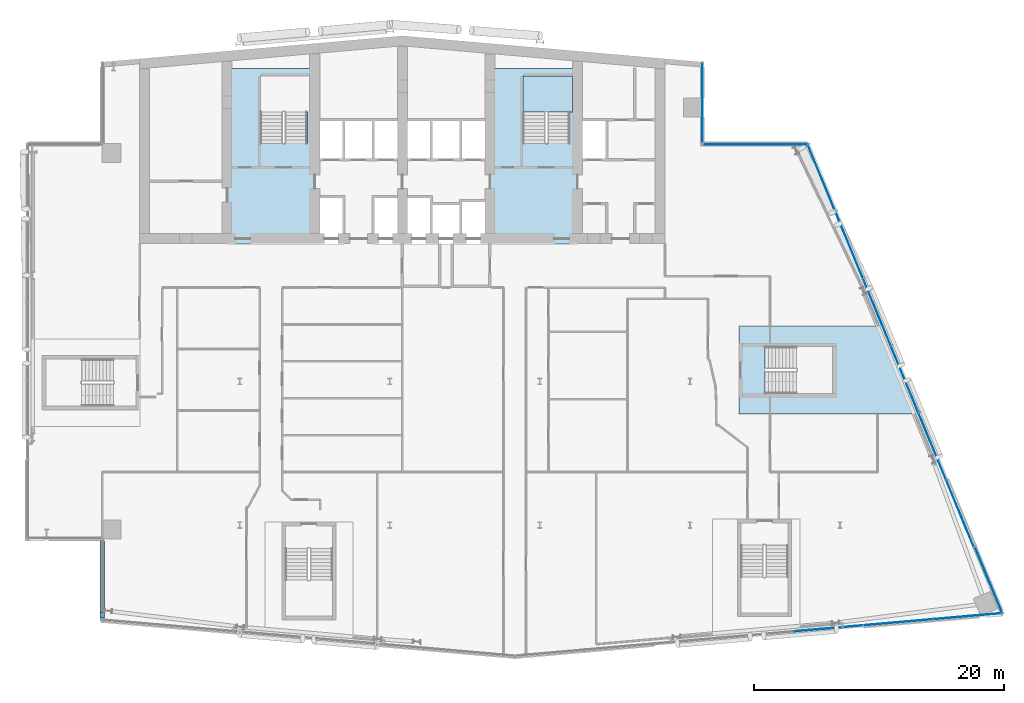
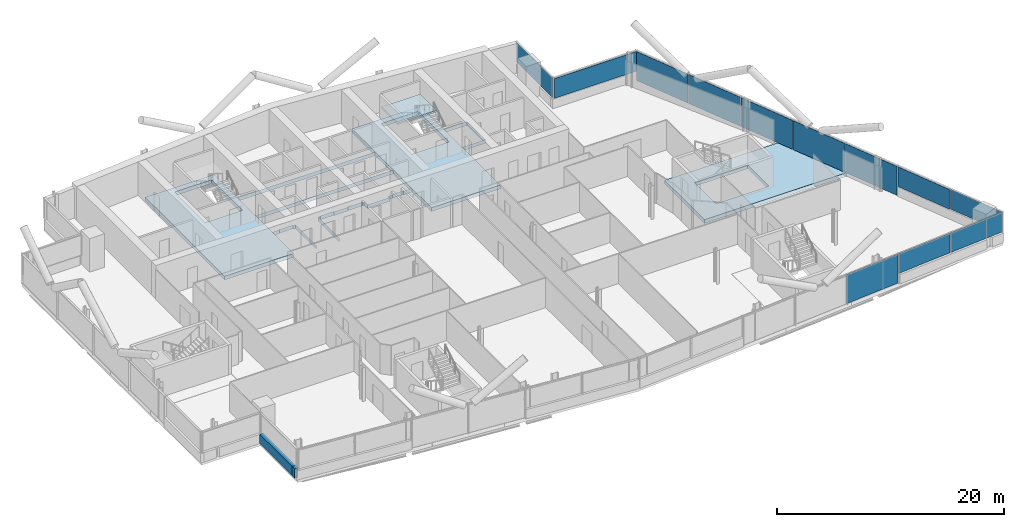
# One storey, part 13 of 26: 12 plates, 3 slabs, 2 walls, 5 elements without a shape of their own.
"""IFC4 building model written with IfcOpenShell, lengths in metres."""

from ifc_helpers import new_model, si_unit, direction, frame, frame_2d, origin, origin_2d, place, context, subcontext, project, spatial, polyline, rectangle, outline, extrude, material, layer, layer_set, type_object, element, aggregate, save


model = new_model("IFC4")

# Units and contexts
model_context = context("Model", 3, precision=1e-05, world=origin(), true_north=direction((0.0, 1.0)))
body_context = subcontext(model_context, "Body", "Model", "MODEL_VIEW")
ifc_project = project(units=[si_unit("LENGTHUNIT", "METRE"), si_unit("AREAUNIT", "SQUARE_METRE"), si_unit("VOLUMEUNIT", "CUBIC_METRE"), si_unit("PLANEANGLEUNIT", "RADIAN"), si_unit("MASSUNIT", "GRAM", prefix="KILO")], contexts=[model_context])

# Site, building, storey
site_placement = place(None, origin())
site = spatial("IfcSite", under=ifc_project, at=site_placement, CompositionType="ELEMENT")
building_placement = place(site_placement, origin())
building = spatial("IfcBuilding", under=site, at=building_placement, Name="Wharfspan Tower", CompositionType="ELEMENT")
storey_placement = place(building_placement, frame((0.0, 0.0, 173.5)))
storey = spatial("IfcBuildingStorey", under=building, at=storey_placement, Name="L42", CompositionType="ELEMENT", Elevation=173.5)

# Curtain wall, plates
ifc_material_1 = material(Name="Aluminium 6063-T6", Category="aluminium")
curtain_wall_type_1 = type_object("IfcCurtainWallType", Name="CURTAIN WALL FACETED FRONT", PredefinedType="NOTDEFINED", material=ifc_material_1)
curtain_wall_1_placement = place(storey_placement, origin())
curtain_wall_1 = element("IfcCurtainWall", 1, at=curtain_wall_1_placement, inside=storey, type_object=curtain_wall_type_1, Name="Curtain wall S2", PredefinedType="NOTDEFINED")
ifc_material_2 = material(Name="Glass clear low-iron double glazing", Category="glass")
ifc_layer_1 = layer(ifc_material_2, 0.040039)
ifc_layer_set_1 = layer_set([ifc_layer_1], Name="Glass clear low-iron double glazing")
plate_type_1 = type_object("IfcPlateType", Name="GLASS PANEL FACETED FRONT 40", PredefinedType="CURTAIN_PANEL", material=ifc_layer_set_1)
plate_1_placement = place(storey_placement, frame((76.637695, 3.728516, 1.0), z_axis=(0.0, 0.0, 1.0), x_axis=(0.996198, 0.087156, 0.0)))
plate_1 = element("IfcPlate", 2, at=plate_1_placement, type_object=plate_type_1, Name="Curtain wall S2 panel 6", PredefinedType="CURTAIN_PANEL", context=body_context, shape_type="SweptSolid", body=[
    extrude(rectangle(XDim=5.532715, YDim=0.040039, at=origin_2d()), origin(), (0.0, 0.0, 1.0), 2.120117),
])
plate_2_placement = place(storey_placement, frame((82.194092, 4.214844, 1.0), z_axis=(0.0, 0.0, 1.0), x_axis=(0.996198, 0.087156, 0.0)))
plate_2 = element("IfcPlate", 3, at=plate_2_placement, type_object=plate_type_1, Name="Curtain wall S2 panel 7", PredefinedType="CURTAIN_PANEL", context=body_context, shape_type="SweptSolid", body=[
    extrude(rectangle(XDim=5.502686, YDim=0.040039, at=origin_2d()), origin(), (0.0, 0.0, 1.0), 2.120117),
])

curtain_wall_type_2 = type_object("IfcCurtainWallType", Name="CURTAIN WALL PROW AND END", PredefinedType="NOTDEFINED", material=ifc_material_1)
curtain_wall_2_placement = place(storey_placement, origin())
curtain_wall_2 = element("IfcCurtainWall", 4, at=curtain_wall_2_placement, inside=storey, type_object=curtain_wall_type_2, Name="Curtain wall E", PredefinedType="NOTDEFINED")
ifc_layer_2 = layer(ifc_material_2, 0.040039)
ifc_layer_set_2 = layer_set([ifc_layer_2], Name="Glass clear low-iron double glazing")
plate_type_2 = type_object("IfcPlateType", Name="GLASS PANEL PROW AND END 40", PredefinedType="CURTAIN_PANEL", material=ifc_layer_set_2)
plate_3_placement = place(storey_placement, frame((83.885498, 7.099609, 1.0), z_axis=(0.0, 0.0, 1.0), x_axis=(-0.381602, 0.924325, 0.0)))
plate_3 = element("IfcPlate", 5, at=plate_3_placement, type_object=plate_type_2, Name="Curtain wall E panel 1", PredefinedType="CURTAIN_PANEL", context=body_context, shape_type="SweptSolid", body=[
    extrude(rectangle(XDim=5.721191, YDim=0.040039, at=origin_2d()), origin(), (0.0, 0.0, 1.0), 2.120117),
])
plate_4_placement = place(storey_placement, frame((81.599609, 12.426514, 1.0), z_axis=(0.0, 0.0, 1.0), x_axis=(-0.381602, 0.924325, 0.0)))
plate_4 = element("IfcPlate", 6, at=plate_4_placement, type_object=plate_type_2, Name="Curtain wall E panel 2", PredefinedType="CURTAIN_PANEL", context=body_context, shape_type="SweptSolid", body=[
    extrude(rectangle(XDim=5.751221, YDim=0.040039, at=origin_2d()), origin(), (0.0, 0.0, 1.0), 2.120117),
])

# Curtain wall, plate
curtain_wall_3_placement = place(storey_placement, origin())
curtain_wall_3 = element("IfcCurtainWall", 7, at=curtain_wall_3_placement, inside=storey, type_object=curtain_wall_type_2, Name="Curtain wall NRE-H", PredefinedType="NOTDEFINED")
plate_5_placement = place(storey_placement, frame((65.238525, 41.919922, 1.0), z_axis=(0.0, 0.0, 1.0), x_axis=(-1.0, 0.0, 0.0)))
plate_5 = element("IfcPlate", 8, at=plate_5_placement, type_object=plate_type_2, Name="Curtain wall NRE-H panel 1", PredefinedType="CURTAIN_PANEL", context=body_context, shape_type="SweptSolid", body=[
    extrude(rectangle(XDim=8.357178, YDim=0.040039, at=origin_2d()), origin(), (0.0, 0.0, 1.0), 2.120117),
])
aggregate(curtain_wall_3, [plate_5])

curtain_wall_4_placement = place(storey_placement, origin())
curtain_wall_4 = element("IfcCurtainWall", 9, at=curtain_wall_4_placement, inside=storey, type_object=curtain_wall_type_2, Name="Curtain wall NRE-V", PredefinedType="NOTDEFINED")
plate_6_placement = place(storey_placement, frame((61.0, 45.262451, 1.0), z_axis=(0.0, 0.0, 1.0), x_axis=(0.0, 1.0, 0.0)))
plate_6 = element("IfcPlate", 10, at=plate_6_placement, type_object=plate_type_2, Name="Curtain wall NRE-V panel 1", PredefinedType="CURTAIN_PANEL", context=body_context, shape_type="SweptSolid", body=[
    extrude(rectangle(XDim=6.405029, YDim=0.040039, at=origin_2d()), origin(), (0.0, 0.0, 1.0), 2.120117),
])
aggregate(curtain_wall_4, [plate_6])

# Plate
ifc_material_3 = material(Name="Aluminium composite opaque insulated panel", Category="aluminium")
ifc_layer_3 = layer(ifc_material_3, 0.040039)
ifc_layer_set_3 = layer_set([ifc_layer_3], Name="Aluminium composite opaque insulated panel")
plate_type_3 = type_object("IfcPlateType", Name="INFILL PANEL FACETED FRONT OPAQUE 40", PredefinedType="SHEET", material=ifc_layer_set_3)
plate_7_placement = place(storey_placement, frame((71.066162, 3.241211, 0.0), z_axis=(0.0, 0.0, 1.0), x_axis=(0.996198, 0.087156, 0.0)))
plate_7 = element("IfcPlate", 11, at=plate_7_placement, type_object=plate_type_3, Name="Curtain wall S2 panel 5", PredefinedType="SHEET", context=body_context, shape_type="SweptSolid", body=[
    extrude(rectangle(XDim=5.532715, YDim=0.040039, at=origin_2d()), origin(), (0.0, 0.0, 1.0), 3.120117),
])

aggregate(curtain_wall_1, [plate_7, plate_1, plate_2])

ifc_layer_4 = layer(ifc_material_3, 0.040039)
ifc_layer_set_4 = layer_set([ifc_layer_4], Name="Aluminium composite opaque insulated panel")
plate_type_4 = type_object("IfcPlateType", Name="INFILL PANEL PROW AND END OPAQUE 40", PredefinedType="SHEET", material=ifc_layer_set_4)
plate_8_placement = place(storey_placement, frame((79.38208, 17.798096, 0.0), z_axis=(0.0, 0.0, 1.0), x_axis=(-0.381602, 0.924325, 0.0)))
plate_8 = element("IfcPlate", 12, at=plate_8_placement, type_object=plate_type_4, Name="Curtain wall E panel 3", PredefinedType="SHEET", context=body_context, shape_type="SweptSolid", body=[
    extrude(rectangle(XDim=5.751221, YDim=0.040039, at=origin_2d()), origin(), (0.0, 0.0, 1.0), 3.120117),
])

plate_9_placement = place(storey_placement, frame((77.164551, 23.169434, 0.0), z_axis=(0.0, 0.0, 1.0), x_axis=(-0.381602, 0.924325, 0.0)))
plate_9 = element("IfcPlate", 13, at=plate_9_placement, type_object=plate_type_4, Name="Curtain wall E panel 4", PredefinedType="SHEET", context=body_context, shape_type="SweptSolid", body=[
    extrude(rectangle(XDim=5.751221, YDim=0.040039, at=origin_2d()), origin(), (0.0, 0.0, 1.0), 3.120117),
])

plate_10_placement = place(storey_placement, frame((74.947021, 28.541016, 0.0), z_axis=(0.0, 0.0, 1.0), x_axis=(-0.381602, 0.924325, 0.0)))
plate_10 = element("IfcPlate", 14, at=plate_10_placement, type_object=plate_type_4, Name="Curtain wall E panel 5", PredefinedType="SHEET", context=body_context, shape_type="SweptSolid", body=[
    extrude(rectangle(XDim=5.751221, YDim=0.040039, at=origin_2d()), origin(), (0.0, 0.0, 1.0), 3.120117),
])

plate_11_placement = place(storey_placement, frame((72.729492, 33.912354, 0.0), z_axis=(0.0, 0.0, 1.0), x_axis=(-0.381602, 0.924325, 0.0)))
plate_11 = element("IfcPlate", 15, at=plate_11_placement, type_object=plate_type_4, Name="Curtain wall E panel 6", PredefinedType="SHEET", context=body_context, shape_type="SweptSolid", body=[
    extrude(rectangle(XDim=5.751221, YDim=0.040039, at=origin_2d()), origin(), (0.0, 0.0, 1.0), 3.120117),
])

plate_12_placement = place(storey_placement, frame((70.517578, 39.269775, 0.0), z_axis=(0.0, 0.0, 1.0), x_axis=(-0.381602, 0.924325, 0.0)))
plate_12 = element("IfcPlate", 16, at=plate_12_placement, type_object=plate_type_4, Name="Curtain wall E panel 7", PredefinedType="SHEET", context=body_context, shape_type="SweptSolid", body=[
    extrude(rectangle(XDim=5.721191, YDim=0.040039, at=origin_2d()), origin(), (0.0, 0.0, 1.0), 3.120117),
])

aggregate(curtain_wall_2, [plate_3, plate_4, plate_8, plate_9, plate_10, plate_11, plate_12])

# Slabs
ifc_material_4 = material(Name="Concrete C40/50", Category="concrete")
ifc_layer_5 = layer(ifc_material_4, 0.399902)
ifc_layer_set_5 = layer_set([ifc_layer_5], Name="Concrete C40/50")
slab_type_1 = type_object("IfcSlabType", Name="Post-tensioned flat slab 400", PredefinedType="FLOOR", material=ifc_layer_set_5)
slab_1_placement = place(storey_placement, frame((0.0, 0.0, -0.400146)))
element("IfcSlab", 17, at=slab_1_placement, inside=storey, type_object=slab_type_1, Name="Core floor slab L42 part 3", PredefinedType="FLOOR", context=body_context, shape_type="SweptSolid", body=[
    extrude(outline(polyline([(23.0, 34.0), (29.998047, 34.0), (29.998047, 37.75), (29.998047, 37.750244), (29.998047, 37.750488), (29.998047, 37.750488), (29.998291, 37.750732), (29.998291, 37.750977), (29.998291, 37.751221), (29.998535, 37.751221), (29.998535, 37.751465), (29.998779, 37.751465), (29.998779, 37.751709), (29.999023, 37.751709), (29.999268, 37.751709), (29.999512, 37.751953), (29.999512, 37.751953), (29.999756, 37.751953), (30.0, 37.751953), (30.7146, 37.751953), (30.7146, 37.800049), (30.7146, 37.800293), (30.7146, 37.800293), (30.714844, 37.800537), (30.714844, 37.800781), (30.714844, 37.800781), (30.715088, 37.801025), (30.715088, 37.80127), (30.715332, 37.801514), (30.715332, 37.801514), (30.715576, 37.801758), (30.71582, 37.801758), (30.71582, 37.801758), (30.716064, 37.802002), (30.716309, 37.802002), (30.716553, 37.802002), (30.716797, 37.802002), (32.116699, 37.802002), (32.116943, 37.802002), (32.117188, 37.802002), (32.117188, 37.802002), (32.117432, 37.801758), (32.117676, 37.801758), (32.11792, 37.801758), (32.11792, 37.801514), (32.118164, 37.801514), (32.118164, 37.80127), (32.118408, 37.801025), (32.118408, 37.800781), (32.118408, 37.800781), (32.118652, 37.800537), (32.118652, 37.800293), (32.118652, 37.800293), (32.118652, 37.800049), (32.118652, 37.751953), (32.333252, 37.751953), (32.333496, 37.751953), (32.33374, 37.751953), (32.333984, 37.751953), (32.333984, 37.751709), (32.334229, 37.751709), (32.334473, 37.751709), (32.334717, 37.751465), (32.334717, 37.751465), (32.334961, 37.751221), (32.334961, 37.751221), (32.335205, 37.750977), (32.335205, 37.750732), (32.335205, 37.750488), (32.335205, 37.750488), (32.335205, 37.750244), (32.335205, 37.75), (32.335205, 34.0), (32.341309, 34.0), (32.341309, 37.758057), (32.126709, 37.758057), (32.126465, 37.758057), (32.126221, 37.758057), (32.126221, 37.758057), (32.125977, 37.758301), (32.125732, 37.758301), (32.125488, 37.758301), (32.125488, 37.758545), (32.125244, 37.758545), (32.125244, 37.758789), (32.125, 37.758789), (32.125, 37.759033), (32.125, 37.759277), (32.124756, 37.759521), (32.124756, 37.759521), (32.124756, 37.759766), (32.124756, 37.76001), (32.124756, 37.808105), (30.70874, 37.808105), (30.70874, 37.76001), (30.70874, 37.759766), (30.70874, 37.759521), (30.708496, 37.759521), (30.708496, 37.759277), (30.708496, 37.759033), (30.708496, 37.758789), (30.708252, 37.758789), (30.708008, 37.758545), (30.708008, 37.758545), (30.707764, 37.758301), (30.70752, 37.758301), (30.70752, 37.758301), (30.707275, 37.758057), (30.707031, 37.758057), (30.706787, 37.758057), (30.706787, 37.758057), (30.01001, 37.758057), (30.009766, 37.758057), (30.009521, 37.758057), (30.009521, 37.758057), (30.009277, 37.758301), (30.009033, 37.758301), (30.008789, 37.758301), (30.008789, 37.758545), (30.008545, 37.758545), (30.008545, 37.758789), (30.008301, 37.758789), (30.008301, 37.759033), (30.008301, 37.759277), (30.008057, 37.759521), (30.008057, 37.759521), (30.008057, 37.759766), (30.008057, 37.76001), (30.008057, 40.689941), (30.008057, 40.690186), (30.008057, 40.69043), (30.008057, 40.690674), (30.008301, 40.690918), (30.008301, 40.690918), (30.008301, 40.691162), (30.008545, 40.691406), (30.008545, 40.691406), (30.008789, 40.691406), (30.008789, 40.69165), (30.009033, 40.691895), (30.009277, 40.691895), (30.009521, 40.691895), (30.009521, 40.691895), (30.009766, 40.691895), (30.01001, 40.691895), (43.98999, 40.691895), (43.990234, 40.691895), (43.990479, 40.691895), (43.990479, 40.691895), (43.990723, 40.691895), (43.990967, 40.691895), (43.991211, 40.69165), (43.991211, 40.691406), (43.991455, 40.691406), (43.991455, 40.691406), (43.991699, 40.691162), (43.991699, 40.690918), (43.991699, 40.690918), (43.991943, 40.690674), (43.991943, 40.69043), (43.991943, 40.690186), (43.991943, 40.689941), (43.991943, 37.459961), (43.991943, 37.459717), (43.991943, 37.459717), (43.991943, 37.459473), (43.991699, 37.459229), (43.991699, 37.458984), (43.991699, 37.458984), (43.991455, 37.45874), (43.991455, 37.458496), (43.991211, 37.458496), (43.991211, 37.458252), (43.990967, 37.458252), (43.990723, 37.458252), (43.990479, 37.458008), (43.990479, 37.458008), (43.990234, 37.458008), (43.98999, 37.458008), (43.143311, 37.458008), (43.143066, 37.458008), (43.142822, 37.458008), (43.142578, 37.458008), (43.142578, 37.458252), (43.142334, 37.458252), (43.14209, 37.458252), (43.14209, 37.458496), (43.141846, 37.458496), (43.141846, 37.45874), (43.141602, 37.458984), (43.141602, 37.458984), (43.141602, 37.459229), (43.141357, 37.459473), (43.141357, 37.459717), (43.141357, 37.459717), (43.141357, 37.459961), (43.141357, 37.508057), (42.025391, 37.508057), (42.025391, 37.459961), (42.025391, 37.459717), (42.025391, 37.459717), (42.025146, 37.459473), (42.025146, 37.459229), (42.025146, 37.458984), (42.024902, 37.458984), (42.024902, 37.45874), (42.024658, 37.458496), (42.024658, 37.458496), (42.024414, 37.458252), (42.02417, 37.458252), (42.02417, 37.458252), (42.023926, 37.458008), (42.023682, 37.458008), (42.023438, 37.458008), (42.023193, 37.458008), (41.658691, 37.458008), (41.658691, 37.209961), (41.658691, 37.209717), (41.658691, 37.209717), (41.658691, 37.209473), (41.658447, 37.209229), (41.658447, 37.208984), (41.658447, 37.208984), (41.658203, 37.20874), (41.658203, 37.208496), (41.657959, 37.208496), (41.657715, 37.208252), (41.657715, 37.208252), (41.657471, 37.208252), (41.657227, 37.208008), (41.656982, 37.208008), (41.656982, 37.208008), (41.656738, 37.208008), (39.343262, 37.208008), (39.343018, 37.208008), (39.343018, 37.208008), (39.342773, 37.208008), (39.342529, 37.208252), (39.342285, 37.208252), (39.342285, 37.208252), (39.342041, 37.208496), (39.341797, 37.208496), (39.341797, 37.20874), (39.341553, 37.208984), (39.341553, 37.208984), (39.341553, 37.209229), (39.341309, 37.209473), (39.341309, 37.209717), (39.341309, 37.209717), (39.341309, 37.209961), (39.341309, 37.758057), (39.166748, 37.758057), (39.166504, 37.758057), (39.16626, 37.758057), (39.166016, 37.758057), (39.166016, 37.758301), (39.165771, 37.758301), (39.165527, 37.758301), (39.165283, 37.758545), (39.165283, 37.758545), (39.165283, 37.758789), (39.165039, 37.758789), (39.164795, 37.759033), (39.164795, 37.759277), (39.164795, 37.759521), (39.164795, 37.759521), (39.164795, 37.759766), (39.164795, 37.76001), (39.164795, 37.808105), (37.668701, 37.808105), (37.668701, 37.76001), (37.668701, 37.759766), (37.668701, 37.759521), (37.668701, 37.759521), (37.668457, 37.759277), (37.668457, 37.759033), (37.668457, 37.758789), (37.668213, 37.758789), (37.668213, 37.758545), (37.667969, 37.758545), (37.667725, 37.758301), (37.66748, 37.758301), (37.66748, 37.758301), (37.667236, 37.758057), (37.666992, 37.758057), (37.666992, 37.758057), (37.666748, 37.758057), (36.293213, 37.758057), (36.293213, 37.758057), (36.292969, 37.758057), (36.292725, 37.758057), (36.29248, 37.758301), (36.29248, 37.758301), (36.292236, 37.758301), (36.291992, 37.758545), (36.291992, 37.758545), (36.291748, 37.758789), (36.291504, 37.758789), (36.291504, 37.759033), (36.291504, 37.759277), (36.291504, 37.759521), (36.29126, 37.759521), (36.29126, 37.759766), (36.29126, 37.76001), (36.29126, 37.808105), (34.875244, 37.808105), (34.875244, 37.76001), (34.875244, 37.759766), (34.875244, 37.759521), (34.875244, 37.759521), (34.875, 37.759277), (34.875, 37.759033), (34.875, 37.758789), (34.874756, 37.758789), (34.874756, 37.758545), (34.874512, 37.758545), (34.874512, 37.758301), (34.874268, 37.758301), (34.874023, 37.758301), (34.873779, 37.758057), (34.873779, 37.758057), (34.873535, 37.758057), (34.873291, 37.758057), (34.658691, 37.758057), (34.658691, 34.0), (34.664795, 34.0), (34.664795, 37.75), (34.664795, 37.750244), (34.664795, 37.750488), (34.664795, 37.750488), (34.664795, 37.750732), (34.664795, 37.750977), (34.665039, 37.751221), (34.665039, 37.751221), (34.665283, 37.751465), (34.665283, 37.751465), (34.665527, 37.751709), (34.665771, 37.751709), (34.666016, 37.751709), (34.666016, 37.751953), (34.66626, 37.751953), (34.666504, 37.751953), (34.666748, 37.751953), (34.881348, 37.751953), (34.881348, 37.800049), (34.881348, 37.800293), (34.881348, 37.800293), (34.881348, 37.800537), (34.881592, 37.800781), (34.881592, 37.800781), (34.881592, 37.801025), (34.881836, 37.80127), (34.881836, 37.801514), (34.88208, 37.801514), (34.88208, 37.801758), (34.882324, 37.801758), (34.882568, 37.801758), (34.882812, 37.802002), (34.882812, 37.802002), (34.883057, 37.802002), (34.883301, 37.802002), (36.283203, 37.802002), (36.283447, 37.802002), (36.283691, 37.802002), (36.283936, 37.802002), (36.28418, 37.801758), (36.28418, 37.801758), (36.284424, 37.801758), (36.284668, 37.801514), (36.284668, 37.801514), (36.284912, 37.80127), (36.284912, 37.801025), (36.285156, 37.800781), (36.285156, 37.800781), (36.285156, 37.800537), (36.2854, 37.800293), (36.2854, 37.800293), (36.2854, 37.800049), (36.2854, 37.751953), (37.674805, 37.751953), (37.674805, 37.800049), (37.674805, 37.800293), (37.674805, 37.800293), (37.674805, 37.800537), (37.674805, 37.800781), (37.674805, 37.800781), (37.675049, 37.801025), (37.675049, 37.80127), (37.675293, 37.801514), (37.675293, 37.801514), (37.675537, 37.801758), (37.675781, 37.801758), (37.675781, 37.801758), (37.676025, 37.802002), (37.67627, 37.802002), (37.676514, 37.802002), (37.676758, 37.802002), (39.156738, 37.802002), (39.156982, 37.802002), (39.156982, 37.802002), (39.157227, 37.802002), (39.157471, 37.801758), (39.157715, 37.801758), (39.157715, 37.801758), (39.157959, 37.801514), (39.158203, 37.801514), (39.158203, 37.80127), (39.158203, 37.801025), (39.158447, 37.800781), (39.158447, 37.800781), (39.158691, 37.800537), (39.158691, 37.800293), (39.158691, 37.800293), (39.158691, 37.800049), (39.158691, 37.751953), (39.333252, 37.751953), (39.333496, 37.751953), (39.33374, 37.751953), (39.333984, 37.751953), (39.333984, 37.751709), (39.334229, 37.751709), (39.334473, 37.751709), (39.334717, 37.751465), (39.334717, 37.751465), (39.334961, 37.751221), (39.334961, 37.751221), (39.335205, 37.750977), (39.335205, 37.750732), (39.335205, 37.750488), (39.335205, 37.750488), (39.335205, 37.750244), (39.335205, 37.75), (39.335205, 37.201904), (41.664795, 37.201904), (41.664795, 37.449951), (41.664795, 37.450195), (41.664795, 37.450439), (41.664795, 37.450684), (41.664795, 37.450684), (41.664795, 37.450928), (41.665039, 37.451172), (41.665039, 37.451416), (41.665283, 37.451416), (41.665283, 37.451416), (41.665527, 37.45166), (41.665771, 37.451904), (41.666016, 37.451904), (41.666016, 37.451904), (41.66626, 37.451904), (41.666504, 37.451904), (41.666748, 37.451904), (42.03125, 37.451904), (42.03125, 37.5), (42.03125, 37.500244), (42.031494, 37.500488), (42.031494, 37.500488), (42.031494, 37.500732), (42.031494, 37.500977), (42.031738, 37.501221), (42.031738, 37.501221), (42.031982, 37.501465), (42.031982, 37.501465), (42.032227, 37.501709), (42.032471, 37.501709), (42.032715, 37.501709), (42.032715, 37.501953), (42.032959, 37.501953), (42.033203, 37.501953), (42.033203, 37.501953), (43.133301, 37.501953), (43.133545, 37.501953), (43.133789, 37.501953), (43.133789, 37.501953), (43.134033, 37.501709), (43.134277, 37.501709), (43.134521, 37.501709), (43.134521, 37.501465), (43.134766, 37.501465), (43.13501, 37.501221), (43.13501, 37.501221), (43.13501, 37.500977), (43.135254, 37.500732), (43.135254, 37.500488), (43.135254, 37.500488), (43.135254, 37.500244), (43.135254, 37.5), (43.135254, 37.451904), (44.0, 37.451904), (44.000244, 37.451904), (44.000488, 37.451904), (44.000488, 37.451904), (44.000732, 37.451904), (44.000977, 37.451904), (44.001221, 37.45166), (44.001221, 37.451416), (44.001465, 37.451416), (44.001465, 37.451416), (44.001709, 37.451172), (44.001709, 37.450928), (44.001709, 37.450684), (44.001953, 37.450684), (44.001953, 37.450439), (44.001953, 37.450195), (44.001953, 37.449951), (44.001953, 34.0), (51.0, 34.0), (51.008057, 34.0), (51.008057, 40.689941), (51.008057, 40.690186), (51.008057, 40.69043), (51.008057, 40.690674), (51.008301, 40.690918), (51.008301, 40.690918), (51.008301, 40.691162), (51.008545, 40.691406), (51.008545, 40.691406), (51.008789, 40.691406), (51.008789, 40.69165), (51.009033, 40.691895), (51.009277, 40.691895), (51.009521, 40.691895), (51.009521, 40.691895), (51.009766, 40.691895), (51.01001, 40.691895), (53.341309, 40.691895), (53.341309, 43.907959), (51.01001, 43.907959), (51.009766, 43.907959), (51.009521, 43.907959), (51.009521, 43.908203), (51.009277, 43.908203), (51.009033, 43.908203), (51.008789, 43.908203), (51.008789, 43.908447), (51.008545, 43.908691), (51.008545, 43.908691), (51.008301, 43.908936), (51.008301, 43.90918), (51.008301, 43.90918), (51.008057, 43.909424), (51.008057, 43.909668), (51.008057, 43.909912), (51.008057, 43.909912), (51.008057, 48.008057), (43.991943, 48.008057), (43.991943, 43.909912), (43.991943, 43.909912), (43.991943, 43.909668), (43.991943, 43.909424), (43.991699, 43.90918), (43.991699, 43.90918), (43.991699, 43.908936), (43.991455, 43.908691), (43.991455, 43.908691), (43.991211, 43.908447), (43.991211, 43.908203), (43.990967, 43.908203), (43.990723, 43.908203), (43.990479, 43.908203), (43.990479, 43.907959), (43.990234, 43.907959), (43.98999, 43.907959), (30.01001, 43.907959), (30.009766, 43.907959), (30.009521, 43.907959), (30.009521, 43.908203), (30.009277, 43.908203), (30.009033, 43.908203), (30.008789, 43.908203), (30.008789, 43.908447), (30.008545, 43.908691), (30.008545, 43.908691), (30.008301, 43.908936), (30.008301, 43.90918), (30.008301, 43.90918), (30.008057, 43.909424), (30.008057, 43.909668), (30.008057, 43.909912), (30.008057, 43.909912), (30.008057, 48.008057), (22.991943, 48.008057), (22.991943, 34.0), (23.0, 34.0)]), holes=[polyline([(53.333252, 43.9021), (53.333496, 43.9021), (53.33374, 43.9021), (53.333984, 43.901855), (53.333984, 43.901855), (53.334229, 43.901855), (53.334473, 43.901611), (53.334717, 43.901611), (53.334717, 43.901367), (53.334961, 43.901367), (53.334961, 43.901123), (53.335205, 43.900879), (53.335205, 43.900879), (53.335205, 43.900635), (53.335205, 43.900391), (53.335205, 43.900146), (53.335205, 43.899902), (53.335205, 40.699951), (53.335205, 40.699707), (53.335205, 40.699707), (53.335205, 40.699463), (53.335205, 40.699219), (53.335205, 40.699219), (53.334961, 40.698975), (53.334961, 40.69873), (53.334717, 40.698486), (53.334717, 40.698486), (53.334473, 40.698242), (53.334229, 40.698242), (53.333984, 40.698242), (53.333984, 40.697998), (53.33374, 40.697998), (53.333496, 40.697998), (53.333252, 40.697998), (51.0, 40.697998), (50.999756, 40.697998), (50.999512, 40.697998), (50.999512, 40.697998), (50.999268, 40.698242), (50.999023, 40.698242), (50.998779, 40.698242), (50.998779, 40.698486), (50.998535, 40.698486), (50.998535, 40.69873), (50.998291, 40.698975), (50.998291, 40.699219), (50.998291, 40.699219), (50.998047, 40.699463), (50.998047, 40.699707), (50.998047, 40.699707), (50.998047, 40.699951), (50.998047, 43.899902), (50.998047, 43.900146), (50.998047, 43.900391), (50.998047, 43.900635), (50.998291, 43.900879), (50.998291, 43.900879), (50.998291, 43.901123), (50.998535, 43.901367), (50.998535, 43.901367), (50.998779, 43.901611), (50.998779, 43.901611), (50.999023, 43.901855), (50.999268, 43.901855), (50.999512, 43.901855), (50.999512, 43.9021), (50.999756, 43.9021), (51.0, 43.9021), (53.333252, 43.9021)]), polyline([(46.649902, 41.998047), (46.649902, 41.998047), (46.649658, 41.998047), (46.649414, 41.998047), (46.64917, 41.998291), (46.64917, 41.998291), (46.648926, 41.998291), (46.648682, 41.998535), (46.648682, 41.998535), (46.648438, 41.998779), (46.648193, 41.998779), (46.648193, 41.999023), (46.648193, 41.999268), (46.648193, 41.999512), (46.647949, 41.999512), (46.647949, 41.999756), (46.647949, 42.0), (46.647949, 47.399902), (46.647949, 47.400146), (46.647949, 47.400391), (46.648193, 47.400635), (46.648193, 47.400879), (46.648193, 47.400879), (46.648193, 47.401123), (46.648438, 47.401367), (46.648682, 47.401367), (46.648682, 47.401611), (46.648926, 47.401611), (46.64917, 47.401855), (46.64917, 47.401855), (46.649414, 47.401855), (46.649658, 47.4021), (46.649902, 47.4021), (46.649902, 47.4021), (50.399902, 47.4021), (50.400146, 47.4021), (50.400391, 47.4021), (50.400635, 47.401855), (50.400879, 47.401855), (50.400879, 47.401855), (50.401123, 47.401611), (50.401367, 47.401611), (50.401367, 47.401367), (50.401611, 47.401367), (50.401611, 47.401123), (50.401855, 47.400879), (50.401855, 47.400879), (50.401855, 47.400635), (50.4021, 47.400391), (50.4021, 47.400146), (50.4021, 47.399902), (50.4021, 42.0), (50.4021, 41.999756), (50.4021, 41.999512), (50.401855, 41.999512), (50.401855, 41.999268), (50.401855, 41.999023), (50.401611, 41.998779), (50.401611, 41.998779), (50.401367, 41.998535), (50.401367, 41.998535), (50.401123, 41.998291), (50.400879, 41.998291), (50.400879, 41.998291), (50.400635, 41.998047), (50.400391, 41.998047), (50.400146, 41.998047), (50.399902, 41.998047), (46.649902, 41.998047)]), polyline([(44.0, 43.9021), (44.000244, 43.9021), (44.000488, 43.9021), (44.000488, 43.901855), (44.000732, 43.901855), (44.000977, 43.901855), (44.001221, 43.901611), (44.001221, 43.901611), (44.001465, 43.901367), (44.001465, 43.901367), (44.001709, 43.901123), (44.001709, 43.900879), (44.001709, 43.900879), (44.001953, 43.900635), (44.001953, 43.900391), (44.001953, 43.900146), (44.001953, 43.899902), (44.001953, 40.699951), (44.001953, 40.699707), (44.001953, 40.699707), (44.001953, 40.699463), (44.001709, 40.699219), (44.001709, 40.699219), (44.001709, 40.698975), (44.001465, 40.69873), (44.001465, 40.698486), (44.001221, 40.698486), (44.001221, 40.698242), (44.000977, 40.698242), (44.000732, 40.698242), (44.000488, 40.697998), (44.000488, 40.697998), (44.000244, 40.697998), (44.0, 40.697998), (30.0, 40.697998), (29.999756, 40.697998), (29.999512, 40.697998), (29.999512, 40.697998), (29.999268, 40.698242), (29.999023, 40.698242), (29.998779, 40.698242), (29.998779, 40.698486), (29.998535, 40.698486), (29.998535, 40.69873), (29.998291, 40.698975), (29.998291, 40.699219), (29.998291, 40.699219), (29.998047, 40.699463), (29.998047, 40.699707), (29.998047, 40.699707), (29.998047, 40.699951), (29.998047, 43.899902), (29.998047, 43.900146), (29.998047, 43.900391), (29.998047, 43.900635), (29.998291, 43.900879), (29.998291, 43.900879), (29.998291, 43.901123), (29.998535, 43.901367), (29.998535, 43.901367), (29.998779, 43.901611), (29.998779, 43.901611), (29.999023, 43.901855), (29.999268, 43.901855), (29.999512, 43.901855), (29.999512, 43.9021), (29.999756, 43.9021), (30.0, 43.9021), (44.0, 43.9021)]), polyline([(29.4021, 42.0), (29.4021, 41.999756), (29.4021, 41.999512), (29.401855, 41.999512), (29.401855, 41.999268), (29.401855, 41.999023), (29.401611, 41.998779), (29.401611, 41.998779), (29.401367, 41.998535), (29.401367, 41.998535), (29.401123, 41.998291), (29.400879, 41.998291), (29.400879, 41.998291), (29.400635, 41.998047), (29.400391, 41.998047), (29.400146, 41.998047), (29.399902, 41.998047), (25.649902, 41.998047), (25.649902, 41.998047), (25.649658, 41.998047), (25.649414, 41.998047), (25.64917, 41.998291), (25.64917, 41.998291), (25.648926, 41.998291), (25.648682, 41.998535), (25.648682, 41.998535), (25.648438, 41.998779), (25.648193, 41.998779), (25.648193, 41.999023), (25.648193, 41.999268), (25.648193, 41.999512), (25.647949, 41.999512), (25.647949, 41.999756), (25.647949, 42.0), (25.647949, 47.399902), (25.647949, 47.400146), (25.647949, 47.400391), (25.648193, 47.400635), (25.648193, 47.400879), (25.648193, 47.400879), (25.648193, 47.401123), (25.648438, 47.401367), (25.648682, 47.401367), (25.648682, 47.401611), (25.648926, 47.401611), (25.64917, 47.401855), (25.64917, 47.401855), (25.649414, 47.401855), (25.649658, 47.4021), (25.649902, 47.4021), (25.649902, 47.4021), (29.399902, 47.4021), (29.400146, 47.4021), (29.400391, 47.4021), (29.400635, 47.401855), (29.400879, 47.401855), (29.400879, 47.401855), (29.401123, 47.401611), (29.401367, 47.401611), (29.401367, 47.401367), (29.401611, 47.401367), (29.401611, 47.401123), (29.401855, 47.400879), (29.401855, 47.400879), (29.401855, 47.400635), (29.4021, 47.400391), (29.4021, 47.400146), (29.4021, 47.399902), (29.4021, 42.0)])]), origin(), (0.0, 0.0, 1.0), 0.400146),
])
slab_2_placement = place(storey_placement, frame((0.0, 0.0, -0.400146)))
element("IfcSlab", 18, at=slab_2_placement, inside=storey, type_object=slab_type_1, Name="Core floor slab L42 part 5", PredefinedType="FLOOR", context=body_context, shape_type="SweptSolid", body=[
    extrude(outline(polyline([(78.394531, 20.399902), (75.504639, 27.399902), (63.904541, 27.399902), (63.904541, 20.399902), (78.394531, 20.399902)]), holes=[polyline([(66.004639, 22.022949), (66.004395, 22.022949), (66.00415, 22.022949), (66.003906, 22.023193), (66.003906, 22.023193), (66.003662, 22.023193), (66.003418, 22.023193), (66.003418, 22.023438), (66.003174, 22.023682), (66.00293, 22.023682), (66.00293, 22.023926), (66.002686, 22.02417), (66.002686, 22.02417), (66.002686, 22.024414), (66.002686, 22.024658), (66.002686, 22.024902), (66.002686, 22.024902), (66.002686, 25.774902), (66.002686, 25.775146), (66.002686, 25.775391), (66.002686, 25.775635), (66.002686, 25.775879), (66.002686, 25.775879), (66.00293, 25.776123), (66.00293, 25.776367), (66.003174, 25.776367), (66.003418, 25.776611), (66.003418, 25.776611), (66.003662, 25.776855), (66.003906, 25.776855), (66.003906, 25.776855), (66.00415, 25.7771), (66.004395, 25.7771), (66.004639, 25.7771), (71.404541, 25.7771), (71.404785, 25.7771), (71.405029, 25.7771), (71.405273, 25.776855), (71.405518, 25.776855), (71.405518, 25.776855), (71.405762, 25.776611), (71.406006, 25.776611), (71.406006, 25.776367), (71.406006, 25.776367), (71.40625, 25.776123), (71.406494, 25.775879), (71.406494, 25.775879), (71.406494, 25.775635), (71.406494, 25.775391), (71.406494, 25.775146), (71.406494, 25.774902), (71.406494, 22.024902), (71.406494, 22.024902), (71.406494, 22.024658), (71.406494, 22.024414), (71.406494, 22.02417), (71.406494, 22.02417), (71.40625, 22.023926), (71.406006, 22.023682), (71.406006, 22.023682), (71.406006, 22.023438), (71.405762, 22.023193), (71.405518, 22.023193), (71.405518, 22.023193), (71.405273, 22.023193), (71.405029, 22.022949), (71.404785, 22.022949), (71.404541, 22.022949), (66.004639, 22.022949)])]), origin(), (0.0, 0.0, 1.0), 0.400146),
])

# Stair, slab
stair_type = type_object("IfcStairType", Name="Half-turn stair 20 risers 180 mm", PredefinedType="HALF_TURN_STAIR", material=ifc_material_4)
stair_placement = place(storey_placement, origin())
stair = element("IfcStair", 19, at=stair_placement, inside=storey, type_object=stair_type, Name="L42 stair ST2", PredefinedType="HALF_TURN_STAIR")
ifc_layer_6 = layer(ifc_material_4, 0.199951)
ifc_layer_set_6 = layer_set([ifc_layer_6], Name="Concrete C40/50")
slab_type_2 = type_object("IfcSlabType", Name="Stair landing 200", PredefinedType="LANDING", material=ifc_layer_set_6)
slab_3_placement = place(storey_placement, frame((0.0, 0.0, 1.599854)))
slab_3 = element("IfcSlab", 20, at=slab_3_placement, type_object=slab_type_2, Name="ST2 landing 1", PredefinedType="LANDING", context=body_context, shape_type="SweptSolid", body=[
    extrude(outline(polyline([(46.649902, 44.52002), (50.600098, 44.52002), (50.600098, 47.399902), (46.649902, 47.399902), (46.649902, 44.52002)])), origin(), (0.0, 0.0, 1.0), 0.200195),
])
aggregate(stair, [slab_3])

# Walls
ifc_layer_7 = layer(ifc_material_4, 0.350098)
ifc_layer_set_7 = layer_set([ifc_layer_7], Name="Concrete C40/50")
wall_type = type_object("IfcWallType", Name="SPANDREL EXPOSED CONCRETE 350", PredefinedType="SOLIDWALL", material=ifc_layer_set_7)
wall_1_placement = place(storey_placement, frame((12.995117, 10.219971, 0.0), z_axis=(0.0, 0.0, 1.0), x_axis=(0.0, -1.0, 0.0)))
element("IfcWall", 21, at=wall_1_placement, inside=storey, type_object=wall_type, Name="Spandrel upstand L42 NFW-V", PredefinedType="SOLIDWALL", context=body_context, shape_type="SweptSolid", body=[
    extrude(rectangle(XDim=5.693359, YDim=0.350098, at=frame_2d((2.84668, 0.0))), origin(), (0.0, 0.0, 1.0), 1.0),
])
wall_2_placement = place(storey_placement, frame((12.995117, 4.512451, 0.0), z_axis=(0.0, 0.0, 1.0), x_axis=(0.0, -1.0, 0.0)))
element("IfcWall", 22, at=wall_2_placement, inside=storey, type_object=wall_type, Name="Spandrel upstand L42 NFW-V 2", PredefinedType="SOLIDWALL", context=body_context, shape_type="SweptSolid", body=[
    extrude(rectangle(XDim=0.453613, YDim=0.350098, at=frame_2d((0.226807, 0.0))), origin(), (0.0, 0.0, 1.0), 1.0),
])

save(model, "model.ifc")
